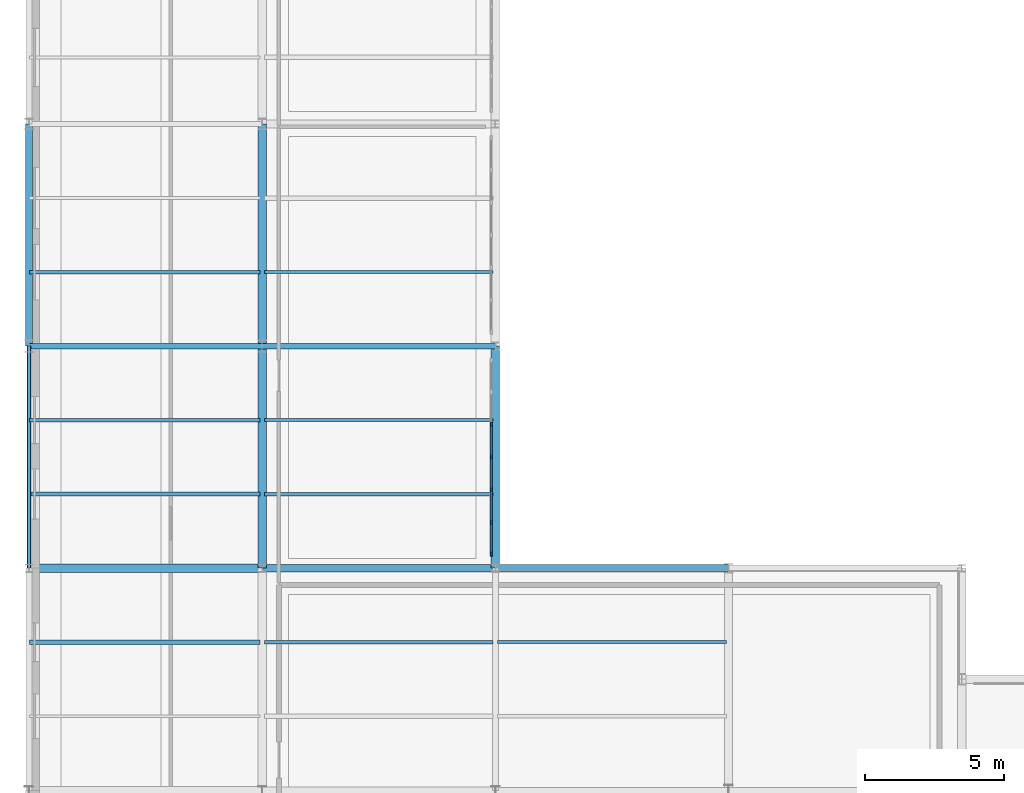
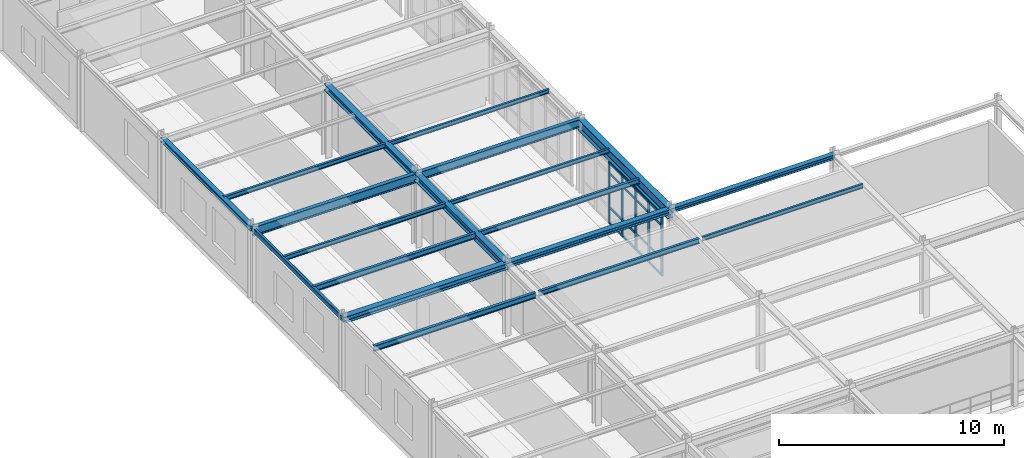
# One storey, part 39 of 90: 21 members, 19 beams, 1 element without a shape of its own.
"""IFC4 building model written with IfcOpenShell, lengths in metres."""

from ifc_helpers import new_model, si_unit, derived_unit, direction, frame, origin, origin_2d, place, context, subcontext, project, spatial, rectangle, hollow_rectangle, i_section, extrude, material, layer, layer_set, material_profile, profile_set, type_object, element, aggregate, save


model = new_model("IFC4")

# Units and contexts
model_context = context("Model", 3, precision=1e-05, world=origin(), true_north=direction((0.0, 1.0)))
body_context = subcontext(model_context, "Body", "Model", "MODEL_VIEW")
ifc_project = project(units=[si_unit("LENGTHUNIT", "METRE"), si_unit("AREAUNIT", "SQUARE_METRE"), si_unit("VOLUMEUNIT", "CUBIC_METRE"), si_unit("PLANEANGLEUNIT", "RADIAN"), si_unit("MASSUNIT", "GRAM", prefix="KILO"), derived_unit("THERMALTRANSMITTANCEUNIT", [(si_unit("POWERUNIT", "WATT"), 1), (si_unit("AREAUNIT", "SQUARE_METRE"), -1), (si_unit("THERMODYNAMICTEMPERATUREUNIT", "KELVIN"), -1)])], contexts=[model_context])

# Site, building, storey
site_placement = place(None, origin())
site = spatial("IfcSite", under=ifc_project, at=site_placement, CompositionType="ELEMENT")
building_placement = place(site_placement, origin())
building = spatial("IfcBuilding", under=site, at=building_placement, Name="Yasenodar Specialist Clinic", CompositionType="ELEMENT")
storey_placement = place(building_placement, frame((0.0, 0.0, 9.0)))
storey = spatial("IfcBuildingStorey", under=building, at=storey_placement, Name="L02", CompositionType="ELEMENT", Elevation=9.0)

# Beams
ifc_material_1 = material(Name="Steel S355", Category="steel")
ifc_material_profile_1 = material_profile(ifc_material_1, i_section(OverallWidth=0.260009765625, OverallDepth=0.25, WebThickness=0.007568359375, FlangeThickness=0.012451171875, FilletRadius=0.02392578125, at=origin_2d()), Name="HEA 260")
ifc_profile_set_1 = profile_set([ifc_material_profile_1], Name="Steel S355")
beam_type_1 = type_object("IfcBeamType", Name="BM-HEA260", PredefinedType="BEAM", material=ifc_profile_set_1)
beam_1_placement = place(storey_placement, frame((16.800048828125, 66.800048828125, 3.824951171875), z_axis=(1.0, 0.0, 0.0), x_axis=(0.0, 1.0, 0.0)))
element("IfcBeam", 1, at=beam_1_placement, inside=storey, type_object=beam_type_1, Name="L02 Primary E-W Girder", PredefinedType="BEAM", context=body_context, shape_type="SweptSolid", body=[
    extrude(i_section(OverallWidth=0.260009765625, OverallDepth=0.25, WebThickness=0.007568359375, FlangeThickness=0.012451171875, FilletRadius=0.02392578125, at=origin_2d()), origin(), (0.0, 0.0, 1.0), 8.39990234375),
])
ifc_material_profile_2 = material_profile(ifc_material_1, i_section(OverallWidth=0.280029296875, OverallDepth=0.27001953125, WebThickness=0.008056640625, FlangeThickness=0.012939453125, FilletRadius=0.02392578125, at=origin_2d()), Name="HEA 280")
ifc_profile_set_2 = profile_set([ifc_material_profile_2], Name="Steel S355")
beam_type_2 = type_object("IfcBeamType", Name="BM-HEA280", PredefinedType="BEAM", material=ifc_profile_set_2)
beam_2_placement = place(storey_placement, frame((8.39990234375, 66.800048828125, 3.81494140625), z_axis=(1.0, 0.0, 0.0), x_axis=(0.0, 1.0, 0.0)))
element("IfcBeam", 2, at=beam_2_placement, inside=storey, type_object=beam_type_2, Name="L02 Primary E-W Girder", PredefinedType="BEAM", context=body_context, shape_type="SweptSolid", body=[
    extrude(i_section(OverallWidth=0.280029296875, OverallDepth=0.27001953125, WebThickness=0.008056640625, FlangeThickness=0.012939453125, FilletRadius=0.02392578125, at=origin_2d()), origin(), (0.0, 0.0, 1.0), 8.400146484375),
])
ifc_material_profile_3 = material_profile(ifc_material_1, i_section(OverallWidth=0.300048828125, OverallDepth=0.330078125, WebThickness=0.009521484375, FlangeThickness=0.0166015625, FilletRadius=0.027099609375, at=origin_2d()), Name="HEA 340")
ifc_profile_set_3 = profile_set([ifc_material_profile_3], Name="Steel S355")
beam_type_3 = type_object("IfcBeamType", Name="BM-HEA340", PredefinedType="BEAM", material=ifc_profile_set_3)
beam_3_placement = place(storey_placement, frame((0.0, 66.800048828125, 3.784912109375), z_axis=(1.0, 0.0, 0.0), x_axis=(0.0, 1.0, 0.0)))
element("IfcBeam", 3, at=beam_3_placement, inside=storey, type_object=beam_type_3, Name="L02 Primary E-W Girder", PredefinedType="BEAM", context=body_context, shape_type="SweptSolid", body=[
    extrude(i_section(OverallWidth=0.300048828125, OverallDepth=0.330078125, WebThickness=0.009521484375, FlangeThickness=0.0166015625, FilletRadius=0.027099609375, at=origin_2d()), origin(), (0.0, 0.0, 1.0), 8.39990234375),
])
ifc_material_profile_4 = material_profile(ifc_material_1, i_section(OverallWidth=0.300048828125, OverallDepth=0.340087890625, WebThickness=0.011962890625, FlangeThickness=0.021484375, FilletRadius=0.027099609375, at=origin_2d()), Name="HEB 340")
ifc_profile_set_4 = profile_set([ifc_material_profile_4], Name="Steel S355")
beam_type_4 = type_object("IfcBeamType", Name="BM-HEB340", PredefinedType="BEAM", material=ifc_profile_set_4)
beam_4_placement = place(storey_placement, frame((8.39990234375, 74.800048828125, 3.780029296875), z_axis=(0.0, 1.0, 0.0), x_axis=(-1.0, 0.0, 0.0)))
element("IfcBeam", 4, at=beam_4_placement, inside=storey, type_object=beam_type_4, Name="L02 Primary N-S Girder", PredefinedType="BEAM", context=body_context, shape_type="SweptSolid", body=[
    extrude(i_section(OverallWidth=0.300048828125, OverallDepth=0.340087890625, WebThickness=0.011962890625, FlangeThickness=0.021484375, FilletRadius=0.027099609375, at=origin_2d()), origin(), (0.0, 0.0, 1.0), 8.0),
])
ifc_material_profile_5 = material_profile(ifc_material_1, i_section(OverallWidth=0.300048828125, OverallDepth=0.39990234375, WebThickness=0.013427734375, FlangeThickness=0.02392578125, FilletRadius=0.027099609375, at=origin_2d()), Name="HEB 400")
ifc_profile_set_5 = profile_set([ifc_material_profile_5], Name="Steel S355")
beam_type_5 = type_object("IfcBeamType", Name="BM-HEB400", PredefinedType="BEAM", material=ifc_profile_set_5)
beam_5_placement = place(storey_placement, frame((8.39990234375, 66.800048828125, 3.75), z_axis=(0.0, 1.0, 0.0), x_axis=(-1.0, 0.0, 0.0)))
element("IfcBeam", 5, at=beam_5_placement, inside=storey, type_object=beam_type_5, Name="L02 Primary N-S Girder", PredefinedType="BEAM", context=body_context, shape_type="SweptSolid", body=[
    extrude(i_section(OverallWidth=0.300048828125, OverallDepth=0.39990234375, WebThickness=0.013427734375, FlangeThickness=0.02392578125, FilletRadius=0.027099609375, at=origin_2d()), origin(), (0.0, 0.0, 1.0), 8.0),
])
ifc_material_profile_6 = material_profile(ifc_material_1, i_section(OverallWidth=0.300048828125, OverallDepth=0.60009765625, WebThickness=0.015380859375, FlangeThickness=0.030029296875, FilletRadius=0.027099609375, at=origin_2d()), Name="HEB 600")
ifc_profile_set_6 = profile_set([ifc_material_profile_6], Name="Steel S355")
beam_type_6 = type_object("IfcBeamType", Name="BM-HEB600", PredefinedType="BEAM", material=ifc_profile_set_6)
beam_6_placement = place(storey_placement, frame((16.800048828125, 66.800048828125, 3.64990234375), z_axis=(0.0, 1.0, 0.0), x_axis=(-1.0, 0.0, 0.0)))
element("IfcBeam", 6, at=beam_6_placement, inside=storey, type_object=beam_type_6, Name="L02 Primary N-S Girder", PredefinedType="BEAM", context=body_context, shape_type="SweptSolid", body=[
    extrude(i_section(OverallWidth=0.300048828125, OverallDepth=0.60009765625, WebThickness=0.015380859375, FlangeThickness=0.030029296875, FilletRadius=0.027099609375, at=origin_2d()), origin(), (0.0, 0.0, 1.0), 8.0),
])
ifc_material_profile_7 = material_profile(ifc_material_1, i_section(OverallWidth=0.18994140625, OverallDepth=0.449951171875, WebThickness=0.009521484375, FlangeThickness=0.0146484375, FilletRadius=0.02099609375, at=origin_2d()), Name="IPE 450")
ifc_profile_set_7 = profile_set([ifc_material_profile_7], Name="Steel S355")
beam_type_7 = type_object("IfcBeamType", Name="BM-IPE450", PredefinedType="BEAM", material=ifc_profile_set_7)
beam_7_placement = place(storey_placement, frame((8.39990234375, 74.800048828125, 3.72509765625), z_axis=(1.0, 0.0, 0.0), x_axis=(0.0, 1.0, 0.0)))
element("IfcBeam", 7, at=beam_7_placement, inside=storey, type_object=beam_type_7, Name="L02 Primary E-W Girder", PredefinedType="BEAM", context=body_context, shape_type="SweptSolid", body=[
    extrude(i_section(OverallWidth=0.18994140625, OverallDepth=0.449951171875, WebThickness=0.009521484375, FlangeThickness=0.0146484375, FilletRadius=0.02099609375, at=origin_2d()), origin(), (0.0, 0.0, 1.0), 8.400146484375),
])
ifc_material_profile_8 = material_profile(ifc_material_1, i_section(OverallWidth=0.199951171875, OverallDepth=0.5, WebThickness=0.01025390625, FlangeThickness=0.01611328125, FilletRadius=0.02099609375, at=origin_2d()), Name="IPE 500")
ifc_profile_set_8 = profile_set([ifc_material_profile_8], Name="Steel S355")
beam_type_8 = type_object("IfcBeamType", Name="BM-IPE500", PredefinedType="BEAM", material=ifc_profile_set_8)
beam_8_placement = place(storey_placement, frame((0.0, 74.800048828125, 3.699951171875), z_axis=(1.0, 0.0, 0.0), x_axis=(0.0, 1.0, 0.0)))
element("IfcBeam", 8, at=beam_8_placement, inside=storey, type_object=beam_type_8, Name="L02 Primary E-W Girder", PredefinedType="BEAM", context=body_context, shape_type="SweptSolid", body=[
    extrude(i_section(OverallWidth=0.199951171875, OverallDepth=0.5, WebThickness=0.01025390625, FlangeThickness=0.01611328125, FilletRadius=0.02099609375, at=origin_2d()), origin(), (0.0, 0.0, 1.0), 8.39990234375),
])

# Curtain wall, members
ifc_material_2 = material(Name="Bronze Anodized Aluminium and Triple Low-E Glass", Category="aluminium")
ifc_layer = layer(ifc_material_2, 0.202880859375)
ifc_layer_set = layer_set([ifc_layer], Name="Bronze Anodized Aluminium and Triple Low-E Glass")
curtain_wall_type = type_object("IfcCurtainWallType", Name="CW-SYS-04", PredefinedType="USERDEFINED", material=ifc_layer_set)
curtain_wall_placement = place(storey_placement, origin())
curtain_wall = element("IfcCurtainWall", 9, at=curtain_wall_placement, inside=storey, type_object=curtain_wall_type, Name="L02 Unitised Curtain Wall 129", ObjectType="UNITISED CURTAIN WALL", PredefinedType="USERDEFINED")
ifc_material_3 = material(Name="Bronze Anodized Aluminium", Category="aluminium")
ifc_material_profile_9 = material_profile(ifc_material_3, rectangle(XDim=0.06005859375, YDim=0.159912109375, at=origin_2d()), Name="CW-MULL 60x160")
ifc_profile_set_9 = profile_set([ifc_material_profile_9], Name="Bronze Anodized Aluminium")
member_type_1 = type_object("IfcMemberType", Name="CW-MULL-160", PredefinedType="MULLION", material=ifc_profile_set_9)
member_1_placement = place(storey_placement, frame((16.64990234375, 71.973388671875, 0.0), z_axis=(0.0, 0.0, 1.0), x_axis=(1.0, 0.0, 0.0)))
member_1 = element("IfcMember", 10, at=member_1_placement, type_object=member_type_1, Name="CW-04 mullion 3", PredefinedType="MULLION", context=body_context, shape_type="SweptSolid", body=[
    extrude(rectangle(XDim=0.06005859375, YDim=0.159912109375, at=origin_2d()), origin(), (0.0, 0.0, 1.0), 3.327880859375),
])
member_2_placement = place(storey_placement, frame((16.64990234375, 70.800048828125, 0.0), z_axis=(0.0, 0.0, 1.0), x_axis=(1.0, 0.0, 0.0)))
member_2 = element("IfcMember", 11, at=member_2_placement, type_object=member_type_1, Name="CW-04 mullion 4", PredefinedType="MULLION", context=body_context, shape_type="SweptSolid", body=[
    extrude(rectangle(XDim=0.06005859375, YDim=0.159912109375, at=origin_2d()), origin(), (0.0, 0.0, 1.0), 3.327880859375),
])
member_3_placement = place(storey_placement, frame((16.64990234375, 69.626708984375, 0.0), z_axis=(0.0, 0.0, 1.0), x_axis=(1.0, 0.0, 0.0)))
member_3 = element("IfcMember", 12, at=member_3_placement, type_object=member_type_1, Name="CW-04 mullion 5", PredefinedType="MULLION", context=body_context, shape_type="SweptSolid", body=[
    extrude(rectangle(XDim=0.06005859375, YDim=0.159912109375, at=origin_2d()), origin(), (0.0, 0.0, 1.0), 3.327880859375),
])
member_4_placement = place(storey_placement, frame((16.64990234375, 68.453369140625, 0.0), z_axis=(0.0, 0.0, 1.0), x_axis=(1.0, 0.0, 0.0)))
member_4 = element("IfcMember", 13, at=member_4_placement, type_object=member_type_1, Name="CW-04 mullion 6", PredefinedType="MULLION", context=body_context, shape_type="SweptSolid", body=[
    extrude(rectangle(XDim=0.06005859375, YDim=0.159912109375, at=origin_2d()), origin(), (0.0, 0.0, 1.0), 3.327880859375),
])
member_5_placement = place(storey_placement, frame((16.64990234375, 67.31005859375, 0.0), z_axis=(0.0, 0.0, 1.0), x_axis=(1.0, 0.0, 0.0)))
member_5 = element("IfcMember", 14, at=member_5_placement, type_object=member_type_1, Name="CW-04 mullion 7", PredefinedType="MULLION", context=body_context, shape_type="SweptSolid", body=[
    extrude(rectangle(XDim=0.06005859375, YDim=0.159912109375, at=origin_2d()), origin(), (0.0, 0.0, 1.0), 3.327880859375),
])
ifc_material_profile_10 = material_profile(ifc_material_3, rectangle(XDim=0.06005859375, YDim=0.1201171875, at=origin_2d()), Name="CW-TRAN 60x120")
ifc_profile_set_10 = profile_set([ifc_material_profile_10], Name="Bronze Anodized Aluminium")
member_type_2 = type_object("IfcMemberType", Name="CW-TRAN-120", PredefinedType="USERDEFINED", material=ifc_profile_set_10)
member_6_placement = place(storey_placement, frame((16.64990234375, 71.943359375, 0.030029296875), z_axis=(0.0, -1.0, 0.0), x_axis=(1.0, 0.0, 0.0)))
member_6 = element("IfcMember", 15, at=member_6_placement, type_object=member_type_2, Name="CW-04 transom 3.1", ObjectType="TRANSOM", PredefinedType="USERDEFINED", context=body_context, shape_type="SweptSolid", body=[
    extrude(rectangle(XDim=0.06005859375, YDim=0.1201171875, at=origin_2d()), origin(), (0.0, 0.0, 1.0), 1.11328125),
])
member_7_placement = place(storey_placement, frame((16.64990234375, 71.943359375, 0.89990234375), z_axis=(0.0, -1.0, 0.0), x_axis=(1.0, 0.0, 0.0)))
member_7 = element("IfcMember", 16, at=member_7_placement, type_object=member_type_2, Name="CW-04 transom 3.2", ObjectType="TRANSOM", PredefinedType="USERDEFINED", context=body_context, shape_type="SweptSolid", body=[
    extrude(rectangle(XDim=0.06005859375, YDim=0.1201171875, at=origin_2d()), origin(), (0.0, 0.0, 1.0), 1.11328125),
])
member_8_placement = place(storey_placement, frame((16.64990234375, 71.943359375, 2.72802734375), z_axis=(0.0, -1.0, 0.0), x_axis=(1.0, 0.0, 0.0)))
member_8 = element("IfcMember", 17, at=member_8_placement, type_object=member_type_2, Name="CW-04 transom 3.3", ObjectType="TRANSOM", PredefinedType="USERDEFINED", context=body_context, shape_type="SweptSolid", body=[
    extrude(rectangle(XDim=0.06005859375, YDim=0.1201171875, at=origin_2d()), origin(), (0.0, 0.0, 1.0), 1.11328125),
])
member_9_placement = place(storey_placement, frame((16.64990234375, 71.943359375, 3.298095703125), z_axis=(0.0, -1.0, 0.0), x_axis=(1.0, 0.0, 0.0)))
member_9 = element("IfcMember", 18, at=member_9_placement, type_object=member_type_2, Name="CW-04 transom 3.4", ObjectType="TRANSOM", PredefinedType="USERDEFINED", context=body_context, shape_type="SweptSolid", body=[
    extrude(rectangle(XDim=0.06005859375, YDim=0.1201171875, at=origin_2d()), origin(), (0.0, 0.0, 1.0), 1.11328125),
])
member_10_placement = place(storey_placement, frame((16.64990234375, 70.77001953125, 0.030029296875), z_axis=(0.0, -1.0, 0.0), x_axis=(1.0, 0.0, 0.0)))
member_10 = element("IfcMember", 19, at=member_10_placement, type_object=member_type_2, Name="CW-04 transom 4.1", ObjectType="TRANSOM", PredefinedType="USERDEFINED", context=body_context, shape_type="SweptSolid", body=[
    extrude(rectangle(XDim=0.06005859375, YDim=0.1201171875, at=origin_2d()), origin(), (0.0, 0.0, 1.0), 1.11328125),
])
member_11_placement = place(storey_placement, frame((16.64990234375, 70.77001953125, 0.89990234375), z_axis=(0.0, -1.0, 0.0), x_axis=(1.0, 0.0, 0.0)))
member_11 = element("IfcMember", 20, at=member_11_placement, type_object=member_type_2, Name="CW-04 transom 4.2", ObjectType="TRANSOM", PredefinedType="USERDEFINED", context=body_context, shape_type="SweptSolid", body=[
    extrude(rectangle(XDim=0.06005859375, YDim=0.1201171875, at=origin_2d()), origin(), (0.0, 0.0, 1.0), 1.11328125),
])
member_12_placement = place(storey_placement, frame((16.64990234375, 70.77001953125, 2.72802734375), z_axis=(0.0, -1.0, 0.0), x_axis=(1.0, 0.0, 0.0)))
member_12 = element("IfcMember", 21, at=member_12_placement, type_object=member_type_2, Name="CW-04 transom 4.3", ObjectType="TRANSOM", PredefinedType="USERDEFINED", context=body_context, shape_type="SweptSolid", body=[
    extrude(rectangle(XDim=0.06005859375, YDim=0.1201171875, at=origin_2d()), origin(), (0.0, 0.0, 1.0), 1.11328125),
])
member_13_placement = place(storey_placement, frame((16.64990234375, 70.77001953125, 3.298095703125), z_axis=(0.0, -1.0, 0.0), x_axis=(1.0, 0.0, 0.0)))
member_13 = element("IfcMember", 22, at=member_13_placement, type_object=member_type_2, Name="CW-04 transom 4.4", ObjectType="TRANSOM", PredefinedType="USERDEFINED", context=body_context, shape_type="SweptSolid", body=[
    extrude(rectangle(XDim=0.06005859375, YDim=0.1201171875, at=origin_2d()), origin(), (0.0, 0.0, 1.0), 1.11328125),
])
member_14_placement = place(storey_placement, frame((16.64990234375, 69.5966796875, 0.030029296875), z_axis=(0.0, -1.0, 0.0), x_axis=(1.0, 0.0, 0.0)))
member_14 = element("IfcMember", 23, at=member_14_placement, type_object=member_type_2, Name="CW-04 transom 5.1", ObjectType="TRANSOM", PredefinedType="USERDEFINED", context=body_context, shape_type="SweptSolid", body=[
    extrude(rectangle(XDim=0.06005859375, YDim=0.1201171875, at=origin_2d()), origin(), (0.0, 0.0, 1.0), 1.11328125),
])
member_15_placement = place(storey_placement, frame((16.64990234375, 69.5966796875, 0.89990234375), z_axis=(0.0, -1.0, 0.0), x_axis=(1.0, 0.0, 0.0)))
member_15 = element("IfcMember", 24, at=member_15_placement, type_object=member_type_2, Name="CW-04 transom 5.2", ObjectType="TRANSOM", PredefinedType="USERDEFINED", context=body_context, shape_type="SweptSolid", body=[
    extrude(rectangle(XDim=0.06005859375, YDim=0.1201171875, at=origin_2d()), origin(), (0.0, 0.0, 1.0), 1.11328125),
])
member_16_placement = place(storey_placement, frame((16.64990234375, 69.5966796875, 2.72802734375), z_axis=(0.0, -1.0, 0.0), x_axis=(1.0, 0.0, 0.0)))
member_16 = element("IfcMember", 25, at=member_16_placement, type_object=member_type_2, Name="CW-04 transom 5.3", ObjectType="TRANSOM", PredefinedType="USERDEFINED", context=body_context, shape_type="SweptSolid", body=[
    extrude(rectangle(XDim=0.06005859375, YDim=0.1201171875, at=origin_2d()), origin(), (0.0, 0.0, 1.0), 1.11328125),
])
member_17_placement = place(storey_placement, frame((16.64990234375, 69.5966796875, 3.298095703125), z_axis=(0.0, -1.0, 0.0), x_axis=(1.0, 0.0, 0.0)))
member_17 = element("IfcMember", 26, at=member_17_placement, type_object=member_type_2, Name="CW-04 transom 5.4", ObjectType="TRANSOM", PredefinedType="USERDEFINED", context=body_context, shape_type="SweptSolid", body=[
    extrude(rectangle(XDim=0.06005859375, YDim=0.1201171875, at=origin_2d()), origin(), (0.0, 0.0, 1.0), 1.11328125),
])
member_18_placement = place(storey_placement, frame((16.64990234375, 68.42333984375, 0.030029296875), z_axis=(0.0, -1.0, 0.0), x_axis=(1.0, 0.0, 0.0)))
member_18 = element("IfcMember", 27, at=member_18_placement, type_object=member_type_2, Name="CW-04 transom 6.1", ObjectType="TRANSOM", PredefinedType="USERDEFINED", context=body_context, shape_type="SweptSolid", body=[
    extrude(rectangle(XDim=0.06005859375, YDim=0.1201171875, at=origin_2d()), origin(), (0.0, 0.0, 1.0), 1.083251953125),
])
member_19_placement = place(storey_placement, frame((16.64990234375, 68.42333984375, 0.89990234375), z_axis=(0.0, -1.0, 0.0), x_axis=(1.0, 0.0, 0.0)))
member_19 = element("IfcMember", 28, at=member_19_placement, type_object=member_type_2, Name="CW-04 transom 6.2", ObjectType="TRANSOM", PredefinedType="USERDEFINED", context=body_context, shape_type="SweptSolid", body=[
    extrude(rectangle(XDim=0.06005859375, YDim=0.1201171875, at=origin_2d()), origin(), (0.0, 0.0, 1.0), 1.083251953125),
])
member_20_placement = place(storey_placement, frame((16.64990234375, 68.42333984375, 2.72802734375), z_axis=(0.0, -1.0, 0.0), x_axis=(1.0, 0.0, 0.0)))
member_20 = element("IfcMember", 29, at=member_20_placement, type_object=member_type_2, Name="CW-04 transom 6.3", ObjectType="TRANSOM", PredefinedType="USERDEFINED", context=body_context, shape_type="SweptSolid", body=[
    extrude(rectangle(XDim=0.06005859375, YDim=0.1201171875, at=origin_2d()), origin(), (0.0, 0.0, 1.0), 1.083251953125),
])
member_21_placement = place(storey_placement, frame((16.64990234375, 68.42333984375, 3.298095703125), z_axis=(0.0, -1.0, 0.0), x_axis=(1.0, 0.0, 0.0)))
member_21 = element("IfcMember", 30, at=member_21_placement, type_object=member_type_2, Name="CW-04 transom 6.4", ObjectType="TRANSOM", PredefinedType="USERDEFINED", context=body_context, shape_type="SweptSolid", body=[
    extrude(rectangle(XDim=0.06005859375, YDim=0.1201171875, at=origin_2d()), origin(), (0.0, 0.0, 1.0), 1.083251953125),
])
aggregate(curtain_wall, [member_1, member_2, member_3, member_4, member_5, member_6, member_7, member_8, member_9, member_10, member_11, member_12, member_13, member_14, member_15, member_16, member_17, member_18, member_19, member_20, member_21])

# Beams
ifc_material_profile_11 = material_profile(ifc_material_1, i_section(OverallWidth=0.110107421875, OverallDepth=0.219970703125, WebThickness=0.005859375, FlangeThickness=0.00927734375, FilletRadius=0.011962890625, at=origin_2d()), Name="IPE 220")
ifc_profile_set_11 = profile_set([ifc_material_profile_11], Name="Steel S355")
beam_type_9 = type_object("IfcBeamType", Name="JS-IPE220", PredefinedType="JOIST", material=ifc_profile_set_11)
for number, where, z_axis, x_axis, name in (
    (31, (8.47998046875, 72.13330078125, 3.840087890625), (1.0, 0.0, 0.0), (0.0, 1.0, 0.0), "L02 Composite Floor Joist"),
    (32, (8.47998046875, 77.466796875, 3.840087890625), (1.0, 0.0, 0.0), (0.0, 1.0, 0.0), "L02 Composite Floor Joist"),
):
    element("IfcBeam", number, at=place(storey_placement, frame(where, z_axis=z_axis, x_axis=x_axis)), inside=storey, type_object=beam_type_9, Name=name, PredefinedType="JOIST", context=body_context, shape_type="SweptSolid", body=[
        extrude(i_section(OverallWidth=0.110107421875, OverallDepth=0.219970703125, WebThickness=0.005859375, FlangeThickness=0.00927734375, FilletRadius=0.011962890625, at=origin_2d()), origin(), (0.0, 0.0, 1.0), 8.239990234375),
    ])
beam_9_placement = place(storey_placement, frame((16.8798828125, 64.13330078125, 3.840087890625), z_axis=(1.0, 0.0, 0.0), x_axis=(0.0, 1.0, 0.0)))
element("IfcBeam", 33, at=beam_9_placement, inside=storey, type_object=beam_type_9, Name="L02 Composite Floor Joist", PredefinedType="JOIST", context=body_context, shape_type="SweptSolid", body=[
    extrude(i_section(OverallWidth=0.110107421875, OverallDepth=0.219970703125, WebThickness=0.005859375, FlangeThickness=0.00927734375, FilletRadius=0.011962890625, at=origin_2d()), origin(), (0.0, 0.0, 1.0), 8.240234375),
])
ifc_material_profile_12 = material_profile(ifc_material_1, i_section(OverallWidth=0.1201171875, OverallDepth=0.239990234375, WebThickness=0.006103515625, FlangeThickness=0.009765625, FilletRadius=0.014892578125, at=origin_2d()), Name="IPE 240")
ifc_profile_set_12 = profile_set([ifc_material_profile_12], Name="Steel S355")
beam_type_10 = type_object("IfcBeamType", Name="JS-IPE240", PredefinedType="JOIST", material=ifc_profile_set_12)
for number, where, z_axis, x_axis, name in (
    (34, (0.014892578125, 72.13330078125, 3.830078125), (1.0, 0.0, 0.0), (0.0, 1.0, 0.0), "L02 Composite Floor Joist"),
    (35, (0.014892578125, 77.466796875, 3.830078125), (1.0, 0.0, 0.0), (0.0, 1.0, 0.0), "L02 Composite Floor Joist"),
):
    element("IfcBeam", number, at=place(storey_placement, frame(where, z_axis=z_axis, x_axis=x_axis)), inside=storey, type_object=beam_type_10, Name=name, PredefinedType="JOIST", context=body_context, shape_type="SweptSolid", body=[
        extrude(i_section(OverallWidth=0.1201171875, OverallDepth=0.239990234375, WebThickness=0.006103515625, FlangeThickness=0.009765625, FilletRadius=0.014892578125, at=origin_2d()), origin(), (0.0, 0.0, 1.0), 8.30517578125),
    ])
ifc_material_profile_13 = material_profile(ifc_material_1, i_section(OverallWidth=0.135009765625, OverallDepth=0.27001953125, WebThickness=0.006591796875, FlangeThickness=0.01025390625, FilletRadius=0.014892578125, at=origin_2d()), Name="IPE 270")
ifc_profile_set_13 = profile_set([ifc_material_profile_13], Name="Steel S355")
beam_type_11 = type_object("IfcBeamType", Name="JS-IPE270", PredefinedType="JOIST", material=ifc_profile_set_13)
for number, where, z_axis, x_axis, name in (
    (36, (8.47998046875, 64.13330078125, 3.81494140625), (1.0, 0.0, 0.0), (0.0, 1.0, 0.0), "L02 Composite Floor Joist"),
    (37, (8.47998046875, 69.466796875, 3.81494140625), (1.0, 0.0, 0.0), (0.0, 1.0, 0.0), "L02 Composite Floor Joist"),
):
    element("IfcBeam", number, at=place(storey_placement, frame(where, z_axis=z_axis, x_axis=x_axis)), inside=storey, type_object=beam_type_11, Name=name, PredefinedType="JOIST", context=body_context, shape_type="SweptSolid", body=[
        extrude(i_section(OverallWidth=0.135009765625, OverallDepth=0.27001953125, WebThickness=0.006591796875, FlangeThickness=0.01025390625, FilletRadius=0.014892578125, at=origin_2d()), origin(), (0.0, 0.0, 1.0), 8.239990234375),
    ])
ifc_material_profile_14 = material_profile(ifc_material_1, i_section(OverallWidth=0.14990234375, OverallDepth=0.300048828125, WebThickness=0.007080078125, FlangeThickness=0.0107421875, FilletRadius=0.014892578125, at=origin_2d()), Name="IPE 300")
ifc_profile_set_14 = profile_set([ifc_material_profile_14], Name="Steel S355")
beam_type_12 = type_object("IfcBeamType", Name="JS-IPE300", PredefinedType="JOIST", material=ifc_profile_set_14)
for number, where, z_axis, x_axis, name in (
    (38, (0.014892578125, 64.13330078125, 3.800048828125), (1.0, 0.0, 0.0), (0.0, 1.0, 0.0), "L02 Composite Floor Joist"),
    (39, (0.014892578125, 69.466796875, 3.800048828125), (1.0, 0.0, 0.0), (0.0, 1.0, 0.0), "L02 Composite Floor Joist"),
):
    element("IfcBeam", number, at=place(storey_placement, frame(where, z_axis=z_axis, x_axis=x_axis)), inside=storey, type_object=beam_type_12, Name=name, PredefinedType="JOIST", context=body_context, shape_type="SweptSolid", body=[
        extrude(i_section(OverallWidth=0.14990234375, OverallDepth=0.300048828125, WebThickness=0.007080078125, FlangeThickness=0.0107421875, FilletRadius=0.014892578125, at=origin_2d()), origin(), (0.0, 0.0, 1.0), 8.30517578125),
    ])
ifc_material_profile_15 = material_profile(ifc_material_1, i_section(OverallWidth=0.239990234375, OverallDepth=0.22998046875, WebThickness=0.007568359375, FlangeThickness=0.011962890625, FilletRadius=0.02099609375, at=origin_2d()), Name="HEA 240")
ifc_profile_set_15 = profile_set([ifc_material_profile_15], Name="Steel S355")
beam_type_13 = type_object("IfcBeamType", Name="SP-HEA240", PredefinedType="SPANDREL", material=ifc_profile_set_15)
beam_10_placement = place(storey_placement, frame((0.0, 74.800048828125, 3.8349609375), z_axis=(0.0, 1.0, 0.0), x_axis=(-1.0, 0.0, 0.0)))
element("IfcBeam", 40, at=beam_10_placement, inside=storey, type_object=beam_type_13, Name="L02 Perimeter Spandrel Beam", PredefinedType="SPANDREL", context=body_context, shape_type="SweptSolid", body=[
    extrude(i_section(OverallWidth=0.239990234375, OverallDepth=0.22998046875, WebThickness=0.007568359375, FlangeThickness=0.011962890625, FilletRadius=0.02099609375, at=origin_2d()), origin(), (0.0, 0.0, 1.0), 8.0),
])
ifc_material_profile_16 = material_profile(ifc_material_1, hollow_rectangle(XDim=0.14990234375, YDim=0.25, WallThickness=0.010009765625, InnerFilletRadius=0.014892578125, OuterFilletRadius=0.02490234375, at=origin_2d()), Name="RHS 250x150x10")
ifc_profile_set_16 = profile_set([ifc_material_profile_16], Name="Steel S355")
beam_type_14 = type_object("IfcBeamType", Name="SP-RHS250", PredefinedType="SPANDREL", material=ifc_profile_set_16)
beam_11_placement = place(storey_placement, frame((0.0, 66.800048828125, 3.824951171875), z_axis=(0.0, 1.0, 0.0), x_axis=(-1.0, 0.0, 0.0)))
element("IfcBeam", 41, at=beam_11_placement, inside=storey, type_object=beam_type_14, Name="L02 Perimeter Spandrel Beam", PredefinedType="SPANDREL", context=body_context, shape_type="SweptSolid", body=[
    extrude(hollow_rectangle(XDim=0.14990234375, YDim=0.25, WallThickness=0.010009765625, InnerFilletRadius=0.014892578125, OuterFilletRadius=0.02490234375, at=origin_2d()), origin(), (0.0, 0.0, 1.0), 8.0),
])

save(model, "model.ifc")
